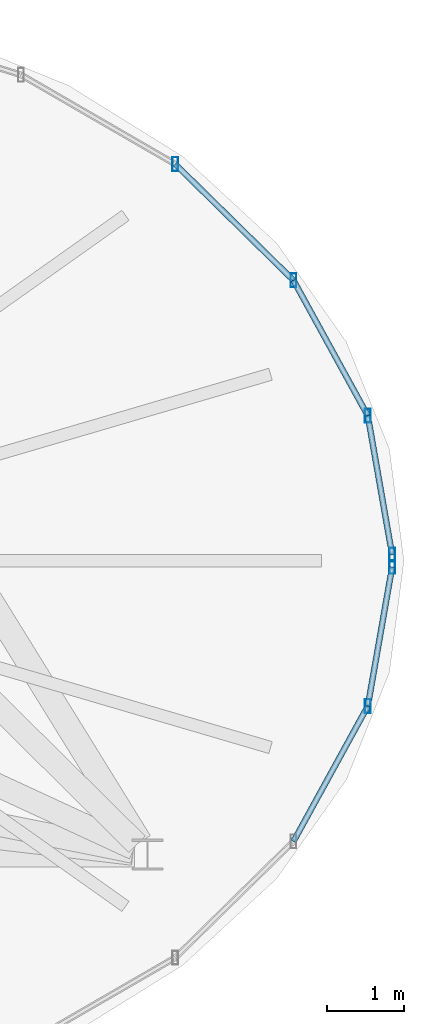
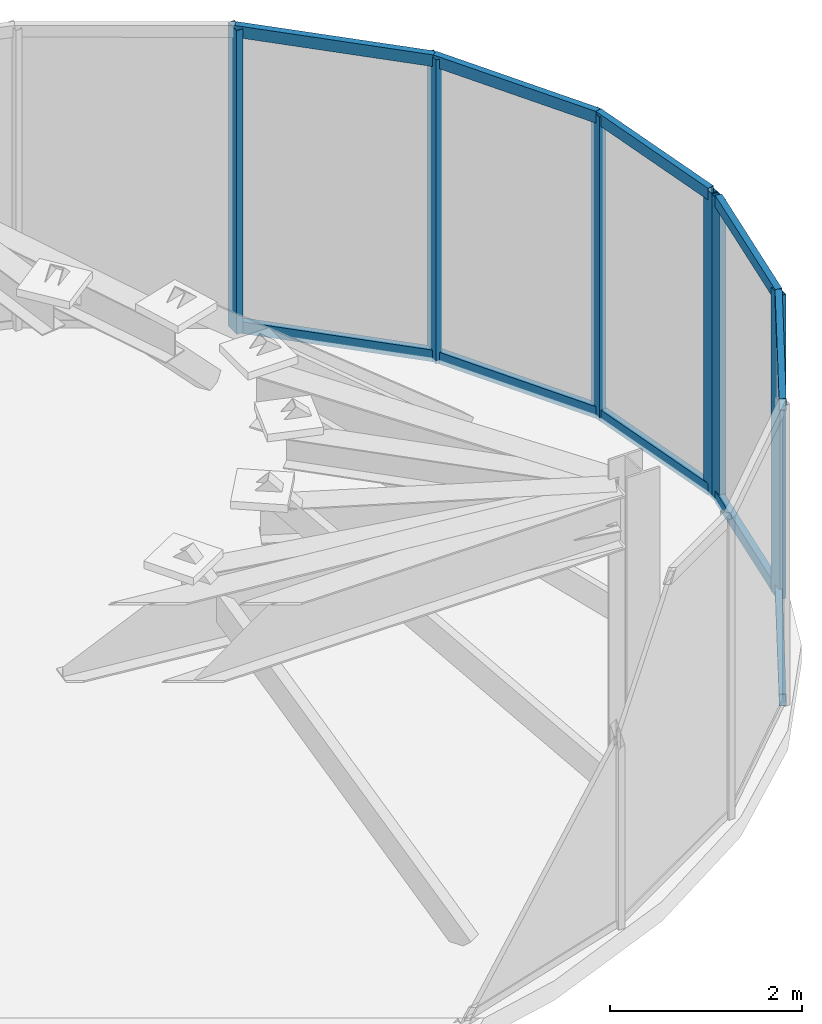
# One storey, part 7 of 8: 16 members, 2 elements without a shape of their own.
"""IFC4 building model written with IfcOpenShell, lengths in metres."""

from ifc_helpers import new_model, si_unit, direction, frame, origin, origin_2d, place, context, subcontext, project, spatial, hollow_rectangle, extrude, material, material_profile, profile_set, type_object, element, aggregate, save


model = new_model("IFC4")

# Units and contexts
model_context = context("Model", 3, precision=1e-05, world=origin(), true_north=direction((0.0, 1.0)))
body_context = subcontext(model_context, "Body", "Model", "MODEL_VIEW")
ifc_project = project(units=[si_unit("LENGTHUNIT", "METRE"), si_unit("AREAUNIT", "SQUARE_METRE"), si_unit("VOLUMEUNIT", "CUBIC_METRE"), si_unit("PLANEANGLEUNIT", "RADIAN"), si_unit("MASSUNIT", "GRAM", prefix="KILO")], contexts=[model_context])

# Site, building, storey
site_placement = place(None, origin())
site = spatial("IfcSite", under=ifc_project, at=site_placement, CompositionType="ELEMENT")
building_placement = place(site_placement, origin())
building = spatial("IfcBuilding", under=site, at=building_placement, Name="Vorneva Point Tower", CompositionType="ELEMENT")
storey_placement = place(building_placement, frame((0.0, 0.0, 310.60009765625)))
storey = spatial("IfcBuildingStorey", under=building, at=storey_placement, Name="C05", CompositionType="ELEMENT", Elevation=310.60009765625)

# Curtain wall, members
ifc_material = material(Name="Pale anodised aluminium", Category="aluminium")
curtain_wall_type = type_object("IfcCurtainWallType", Name="CW-CRN-SYS", PredefinedType="NOTDEFINED", material=ifc_material)
curtain_wall_1_placement = place(storey_placement, origin())
curtain_wall_1 = element("IfcCurtainWall", 1, at=curtain_wall_1_placement, inside=storey, type_object=curtain_wall_type, Name="C05 Unitised Curtain Wall CW-C05-Q1", PredefinedType="NOTDEFINED")
ifc_material_profile_1 = material_profile(ifc_material, hollow_rectangle(XDim=0.074951171875, YDim=0.179931640625, WallThickness=0.00390625, at=origin_2d()), Name="AL-MUL 180x75x4")
ifc_profile_set_1 = profile_set([ifc_material_profile_1], Name="Pale anodised aluminium")
member_type_1 = type_object("IfcMemberType", Name="CW-MUL-180", PredefinedType="MULLION", material=ifc_profile_set_1)
member_1_placement = place(storey_placement, frame((47.6142578125, 26.078857421875, -0.0400390625), z_axis=(0.0, 0.0, 1.0), x_axis=(1.0, 0.0, 0.0)))
member_1 = element("IfcMember", 2, at=member_1_placement, type_object=member_type_1, Name="CW-C05-Q1 Mullion 01", PredefinedType="MULLION", context=body_context, shape_type="SweptSolid", body=[
    extrude(hollow_rectangle(XDim=0.074951171875, YDim=0.179931640625, WallThickness=0.00390625, at=origin_2d()), origin(), (0.0, 0.0, 1.0), 3.869873046875),
])
member_2_placement = place(storey_placement, frame((47.2998046875, 27.87890625, -0.0400390625), z_axis=(0.0, 0.0, 1.0), x_axis=(1.0, 0.0, 0.0)))
member_2 = element("IfcMember", 3, at=member_2_placement, type_object=member_type_1, Name="CW-C05-Q1 Mullion 02", PredefinedType="MULLION", context=body_context, shape_type="SweptSolid", body=[
    extrude(hollow_rectangle(XDim=0.074951171875, YDim=0.179931640625, WallThickness=0.00390625, at=origin_2d()), origin(), (0.0, 0.0, 1.0), 3.869873046875),
])
member_3_placement = place(storey_placement, frame((46.338134765625, 29.6298828125, -0.0400390625), z_axis=(0.0, 0.0, 1.0), x_axis=(1.0, 0.0, 0.0)))
member_3 = element("IfcMember", 4, at=member_3_placement, type_object=member_type_1, Name="CW-C05-Q1 Mullion 03", PredefinedType="MULLION", context=body_context, shape_type="SweptSolid", body=[
    extrude(hollow_rectangle(XDim=0.074951171875, YDim=0.179931640625, WallThickness=0.00390625, at=origin_2d()), origin(), (0.0, 0.0, 1.0), 3.869873046875),
])
member_4_placement = place(storey_placement, frame((44.80810546875, 31.133544921875, -0.0400390625), z_axis=(0.0, 0.0, 1.0), x_axis=(1.0, 0.0, 0.0)))
member_4 = element("IfcMember", 5, at=member_4_placement, type_object=member_type_1, Name="CW-C05-Q1 Mullion 04", PredefinedType="MULLION", context=body_context, shape_type="SweptSolid", body=[
    extrude(hollow_rectangle(XDim=0.074951171875, YDim=0.179931640625, WallThickness=0.00390625, at=origin_2d()), origin(), (0.0, 0.0, 1.0), 3.869873046875),
])

curtain_wall_2_placement = place(storey_placement, origin())
curtain_wall_2 = element("IfcCurtainWall", 6, at=curtain_wall_2_placement, inside=storey, type_object=curtain_wall_type, Name="C05 Unitised Curtain Wall CW-C05-Q4", PredefinedType="NOTDEFINED")
member_5_placement = place(storey_placement, frame((47.2998046875, 24.12109375, -0.0400390625), z_axis=(0.0, 0.0, 1.0), x_axis=(1.0, 0.0, 0.0)))
member_5 = element("IfcMember", 7, at=member_5_placement, type_object=member_type_1, Name="CW-C05-Q4 Mullion 06", PredefinedType="MULLION", context=body_context, shape_type="SweptSolid", body=[
    extrude(hollow_rectangle(XDim=0.074951171875, YDim=0.179931640625, WallThickness=0.00390625, at=origin_2d()), origin(), (0.0, 0.0, 1.0), 3.869873046875),
])
member_6_placement = place(storey_placement, frame((47.6142578125, 25.921142578125, -0.0400390625), z_axis=(0.0, 0.0, 1.0), x_axis=(1.0, 0.0, 0.0)))
member_6 = element("IfcMember", 8, at=member_6_placement, type_object=member_type_1, Name="CW-C05-Q4 Mullion 07", PredefinedType="MULLION", context=body_context, shape_type="SweptSolid", body=[
    extrude(hollow_rectangle(XDim=0.074951171875, YDim=0.179931640625, WallThickness=0.00390625, at=origin_2d()), origin(), (0.0, 0.0, 1.0), 3.869873046875),
])

# Member
ifc_material_profile_2 = material_profile(ifc_material, hollow_rectangle(XDim=0.074951171875, YDim=0.14990234375, WallThickness=0.00390625, at=origin_2d()), Name="AL-TRN 150x75x4")
ifc_profile_set_2 = profile_set([ifc_material_profile_2], Name="Pale anodised aluminium")
member_type_2 = type_object("IfcMemberType", Name="CW-TRN-150", PredefinedType="USERDEFINED", material=ifc_profile_set_2)
member_7_placement = place(storey_placement, frame((47.6142578125, 26.078857421875, 0.02001953125), z_axis=(-0.172085400856, 0.98508203456, 0.0), x_axis=(-0.98508203456, -0.172085400856, 0.0)))
member_7 = element("IfcMember", 9, at=member_7_placement, type_object=member_type_2, Name="CW-C05-Q1 Transom 01.1", ObjectType="TRANSOM", PredefinedType="USERDEFINED", context=body_context, shape_type="SweptSolid", body=[
    extrude(hollow_rectangle(XDim=0.074951171875, YDim=0.14990234375, WallThickness=0.00390625, at=origin_2d()), origin(), (0.0, 0.0, 1.0), 1.827392578125),
])

member_8_placement = place(storey_placement, frame((47.6142578125, 26.078857421875, 3.77978515625), z_axis=(-0.172085400856, 0.98508203456, 0.0), x_axis=(-0.98508203456, -0.172085400856, 0.0)))
member_8 = element("IfcMember", 10, at=member_8_placement, type_object=member_type_2, Name="CW-C05-Q1 Transom 01.2", ObjectType="TRANSOM", PredefinedType="USERDEFINED", context=body_context, shape_type="SweptSolid", body=[
    extrude(hollow_rectangle(XDim=0.074951171875, YDim=0.14990234375, WallThickness=0.00390625, at=origin_2d()), origin(), (0.0, 0.0, 1.0), 1.827392578125),
])

member_9_placement = place(storey_placement, frame((47.2998046875, 27.87890625, 0.02001953125), z_axis=(-0.481393221726, 0.876504743899, 0.0), x_axis=(-0.876504743899, -0.481393221726, 0.0)))
member_9 = element("IfcMember", 11, at=member_9_placement, type_object=member_type_2, Name="CW-C05-Q1 Transom 02.1", ObjectType="TRANSOM", PredefinedType="USERDEFINED", context=body_context, shape_type="SweptSolid", body=[
    extrude(hollow_rectangle(XDim=0.074951171875, YDim=0.14990234375, WallThickness=0.00390625, at=origin_2d()), origin(), (0.0, 0.0, 1.0), 1.99755859375),
])

member_10_placement = place(storey_placement, frame((47.2998046875, 27.87890625, 3.77978515625), z_axis=(-0.481393221726, 0.876504743899, 0.0), x_axis=(-0.876504743899, -0.481393221726, 0.0)))
member_10 = element("IfcMember", 12, at=member_10_placement, type_object=member_type_2, Name="CW-C05-Q1 Transom 02.2", ObjectType="TRANSOM", PredefinedType="USERDEFINED", context=body_context, shape_type="SweptSolid", body=[
    extrude(hollow_rectangle(XDim=0.074951171875, YDim=0.14990234375, WallThickness=0.00390625, at=origin_2d()), origin(), (0.0, 0.0, 1.0), 1.99755859375),
])

member_11_placement = place(storey_placement, frame((46.338134765625, 29.6298828125, 0.02001953125), z_axis=(-0.713225628318, 0.700934521272, 0.0), x_axis=(-0.700934521272, -0.713225628318, 0.0)))
member_11 = element("IfcMember", 13, at=member_11_placement, type_object=member_type_2, Name="CW-C05-Q1 Transom 03.1", ObjectType="TRANSOM", PredefinedType="USERDEFINED", context=body_context, shape_type="SweptSolid", body=[
    extrude(hollow_rectangle(XDim=0.074951171875, YDim=0.14990234375, WallThickness=0.00390625, at=origin_2d()), origin(), (0.0, 0.0, 1.0), 2.145263671875),
])

member_12_placement = place(storey_placement, frame((46.338134765625, 29.6298828125, 3.77978515625), z_axis=(-0.713225628318, 0.700934521272, 0.0), x_axis=(-0.700934521272, -0.713225628318, 0.0)))
member_12 = element("IfcMember", 14, at=member_12_placement, type_object=member_type_2, Name="CW-C05-Q1 Transom 03.2", ObjectType="TRANSOM", PredefinedType="USERDEFINED", context=body_context, shape_type="SweptSolid", body=[
    extrude(hollow_rectangle(XDim=0.074951171875, YDim=0.14990234375, WallThickness=0.00390625, at=origin_2d()), origin(), (0.0, 0.0, 1.0), 2.145263671875),
])

aggregate(curtain_wall_1, [member_1, member_2, member_3, member_4, member_7, member_8, member_9, member_10, member_11, member_12])

member_13_placement = place(storey_placement, frame((46.338134765625, 22.3701171875, 0.02001953125), z_axis=(0.481393221726, 0.876504743899, 0.0), x_axis=(-0.876504743899, 0.481393221726, 0.0)))
member_13 = element("IfcMember", 15, at=member_13_placement, type_object=member_type_2, Name="CW-C05-Q4 Transom 05.1", ObjectType="TRANSOM", PredefinedType="USERDEFINED", context=body_context, shape_type="SweptSolid", body=[
    extrude(hollow_rectangle(XDim=0.074951171875, YDim=0.14990234375, WallThickness=0.00390625, at=origin_2d()), origin(), (0.0, 0.0, 1.0), 1.99755859375),
])

member_14_placement = place(storey_placement, frame((46.338134765625, 22.3701171875, 3.77978515625), z_axis=(0.481393221726, 0.876504743899, 0.0), x_axis=(-0.876504743899, 0.481393221726, 0.0)))
member_14 = element("IfcMember", 16, at=member_14_placement, type_object=member_type_2, Name="CW-C05-Q4 Transom 05.2", ObjectType="TRANSOM", PredefinedType="USERDEFINED", context=body_context, shape_type="SweptSolid", body=[
    extrude(hollow_rectangle(XDim=0.074951171875, YDim=0.14990234375, WallThickness=0.00390625, at=origin_2d()), origin(), (0.0, 0.0, 1.0), 1.99755859375),
])

member_15_placement = place(storey_placement, frame((47.2998046875, 24.12109375, 0.02001953125), z_axis=(0.172085400856, 0.98508203456, 0.0), x_axis=(-0.98508203456, 0.172085400856, 0.0)))
member_15 = element("IfcMember", 17, at=member_15_placement, type_object=member_type_2, Name="CW-C05-Q4 Transom 06.1", ObjectType="TRANSOM", PredefinedType="USERDEFINED", context=body_context, shape_type="SweptSolid", body=[
    extrude(hollow_rectangle(XDim=0.074951171875, YDim=0.14990234375, WallThickness=0.00390625, at=origin_2d()), origin(), (0.0, 0.0, 1.0), 1.827392578125),
])

member_16_placement = place(storey_placement, frame((47.2998046875, 24.12109375, 3.77978515625), z_axis=(0.172085400856, 0.98508203456, 0.0), x_axis=(-0.98508203456, 0.172085400856, 0.0)))
member_16 = element("IfcMember", 18, at=member_16_placement, type_object=member_type_2, Name="CW-C05-Q4 Transom 06.2", ObjectType="TRANSOM", PredefinedType="USERDEFINED", context=body_context, shape_type="SweptSolid", body=[
    extrude(hollow_rectangle(XDim=0.074951171875, YDim=0.14990234375, WallThickness=0.00390625, at=origin_2d()), origin(), (0.0, 0.0, 1.0), 1.827392578125),
])

aggregate(curtain_wall_2, [member_5, member_6, member_13, member_14, member_15, member_16])

save(model, "model.ifc")
